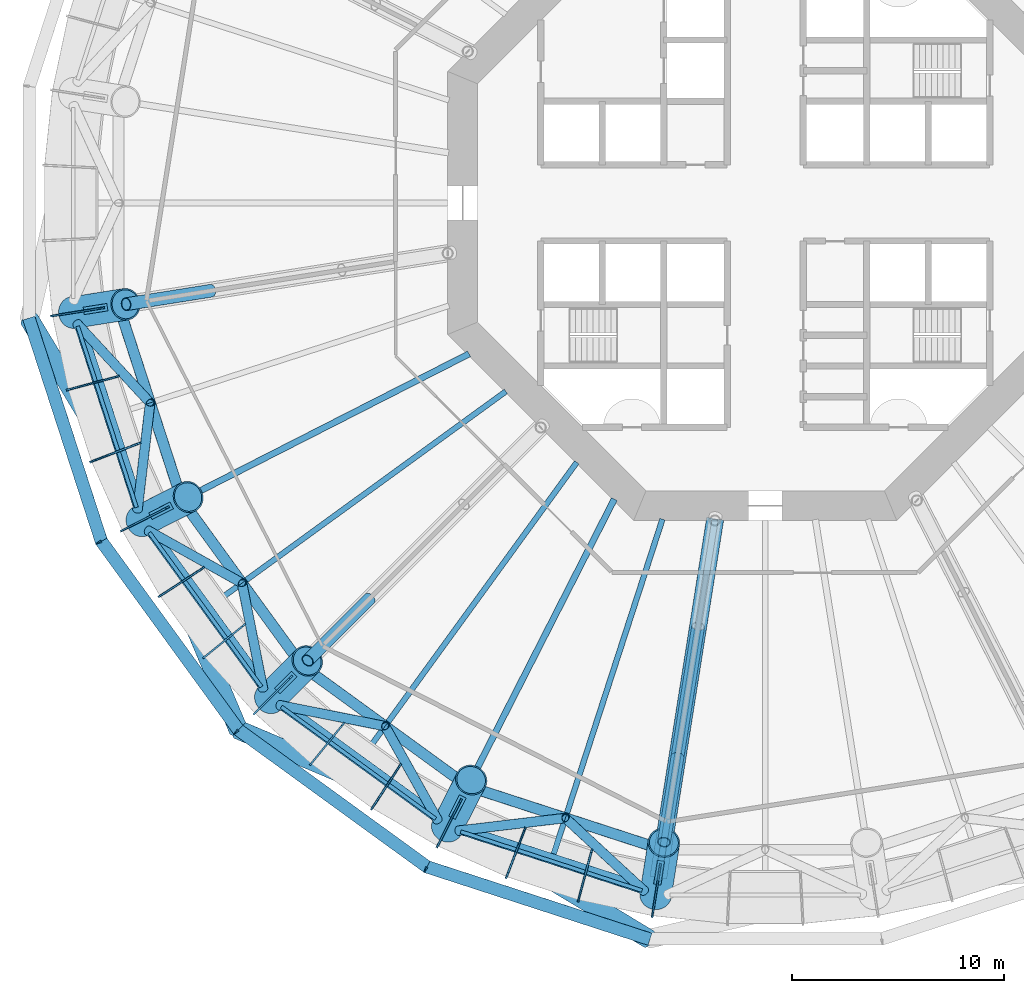
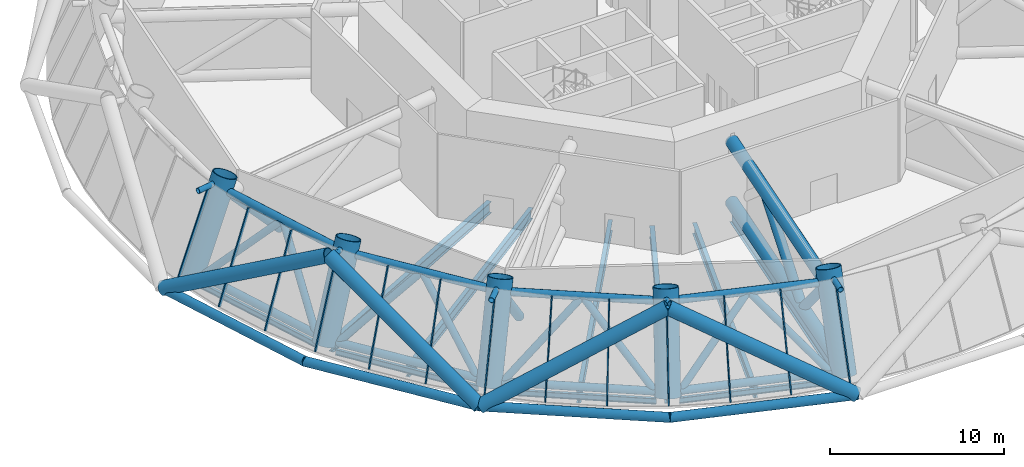
# One storey, part 1 of 14: 53 members, 10 beams, 5 elements without a shape of their own.
"""IFC4 building model written with IfcOpenShell, lengths in metres."""

from ifc_helpers import new_model, si_unit, direction, frame, origin, origin_2d, place, context, subcontext, project, spatial, rectangle, circle, hollow_circle, i_section, extrude, material, layer, layer_set, material_profile, profile_set, type_object, element, aggregate, save


model = new_model("IFC4")

# Units and contexts
model_context = context("Model", 3, precision=1e-05, world=origin(), true_north=direction((0.0, 1.0)))
body_context = subcontext(model_context, "Body", "Model", "MODEL_VIEW")
ifc_project = project(units=[si_unit("LENGTHUNIT", "METRE"), si_unit("AREAUNIT", "SQUARE_METRE"), si_unit("VOLUMEUNIT", "CUBIC_METRE"), si_unit("PLANEANGLEUNIT", "RADIAN"), si_unit("MASSUNIT", "GRAM", prefix="KILO")], contexts=[model_context])

# Site, building, storey
site_placement = place(None, origin())
site = spatial("IfcSite", under=ifc_project, at=site_placement, CompositionType="ELEMENT")
building_placement = place(site_placement, origin())
building = spatial("IfcBuilding", under=site, at=building_placement, Name="Entoto Ring Tower", CompositionType="ELEMENT")
storey_placement = place(building_placement, frame((0.0, 0.0, 74.0)))
storey = spatial("IfcBuildingStorey", under=building, at=storey_placement, Name="L16", CompositionType="ELEMENT", Elevation=74.0)

# Members
ifc_material_1 = material(Name="Steel S355", Category="steel")
ifc_material_profile_1 = material_profile(ifc_material_1, hollow_circle(Radius=0.449951171875, WallThickness=0.044921875, at=origin_2d()), Name="CHS 900 x 45")
ifc_material_2 = material(Name="Concrete C60/75", Category="concrete")
ifc_material_profile_2 = material_profile(ifc_material_2, circle(Radius=0.405029296875, at=origin_2d()), Name="Concrete C60/75 infill")
ifc_profile_set_1 = profile_set([ifc_material_profile_1, ifc_material_profile_2], Name="Steel S355")
member_type_1 = type_object("IfcMemberType", Name="Diagrid diagonal 900 x 45 concrete-filled tube", PredefinedType="BRACE", material=ifc_profile_set_1)
member_1_placement = place(storey_placement, frame((55.2333984375, 74.493408203125, 0.0), z_axis=(0.452381185358, -0.750313710373, 0.482058709247), x_axis=(0.856386694306, 0.516334997667, 0.0)))
element("IfcMember", 1, at=member_1_placement, inside=storey, type_object=member_type_1, Name="DG2 module 5 12", PredefinedType="BRACE", context=body_context, shape_type="SweptSolid", body=[
    extrude(hollow_circle(Radius=0.449951171875, WallThickness=0.044921875, at=origin_2d()), origin(), (0.0, 0.0, 1.0), 12.446533203125),
])
for number, where, z_axis, x_axis, name in (
    (2, (65.10986328125, 55.10986328125, 0.0), (-0.34111981915, 0.807008954016, 0.482051674742), (-0.92109296129, -0.389342723909, 0.0), "DG2 module 5 13"),
    (3, (65.10986328125, 55.10986328125, 0.0), (0.807008954016, -0.34111981915, 0.482051674742), (0.389342723909, 0.92109296129, 0.0), "DG2 module 5 14"),
):
    element("IfcMember", number, at=place(storey_placement, frame(where, z_axis=z_axis, x_axis=x_axis)), inside=storey, type_object=member_type_1, Name=name, PredefinedType="BRACE", context=body_context, shape_type="SweptSolid", body=[
        extrude(hollow_circle(Radius=0.449951171875, WallThickness=0.044921875, at=origin_2d()), origin(), (0.0, 0.0, 1.0), 12.44677734375),
    ])
member_2_placement = place(storey_placement, frame((84.493408203125, 45.2333984375, 0.0), z_axis=(-0.750313710373, 0.452381185358, 0.482058709247), x_axis=(-0.516334997667, -0.856386694306, 0.0)))
element("IfcMember", 4, at=member_2_placement, inside=storey, type_object=member_type_1, Name="DG2 module 5 15", PredefinedType="BRACE", context=body_context, shape_type="SweptSolid", body=[
    extrude(hollow_circle(Radius=0.449951171875, WallThickness=0.044921875, at=origin_2d()), origin(), (0.0, 0.0, 1.0), 12.446533203125),
])
ifc_material_3 = material(Name="Steel S355", Category="steel")
ifc_material_profile_3 = material_profile(ifc_material_3, hollow_circle(Radius=0.177734375, WallThickness=0.01611328125, at=origin_2d()), Name="CHS 355.6 x 16")
ifc_material_4 = material(Name="Concrete C60/75", Category="concrete")
ifc_material_profile_4 = material_profile(ifc_material_4, circle(Radius=0.161865234375, at=origin_2d()), Name="Concrete C60/75 infill")
ifc_profile_set_2 = profile_set([ifc_material_profile_3, ifc_material_profile_4], Name="Steel S355")
member_type_2 = type_object("IfcMemberType", Name="Diagrid node strut 355.6 x 16", PredefinedType="STRUT", material=ifc_profile_set_2)
for number, where, z_axis, x_axis, name in (
    (5, (58.9208984375, 75.07763671875, 5.672119140625), (-0.98766673662, -0.156570806263, 0.0), (0.156570806263, -0.98766673662, 0.0), "DS1 strut ring 5 10"),
    (6, (61.963134765625, 65.71435546875, 5.672119140625), (-0.891085517707, -0.453835432876, 0.0), (0.453835432876, -0.891085517707, 0.0), "DS1 strut ring 5 11"),
    (7, (67.749755859375, 57.749755859375, 5.672119140625), (-0.707106781187, -0.707106781187, 0.0), (0.707106781187, -0.707106781187, 0.0), "DS1 strut ring 5 12"),
    (8, (75.71435546875, 51.963134765625, 5.672119140625), (-0.453835432876, -0.891085517707, 0.0), (0.891085517707, -0.453835432876, 0.0), "DS1 strut ring 5 13"),
    (9, (85.07763671875, 48.9208984375, 5.672119140625), (-0.156570806263, -0.98766673662, 0.0), (0.98766673662, -0.156570806263, 0.0), "DS1 strut ring 5 14"),
):
    element("IfcMember", number, at=place(storey_placement, frame(where, z_axis=z_axis, x_axis=x_axis)), inside=storey, type_object=member_type_2, Name=name, PredefinedType="STRUT", context=body_context, shape_type="SweptSolid", body=[
        extrude(hollow_circle(Radius=0.177734375, WallThickness=0.01611328125, at=origin_2d()), origin(), (0.0, 0.0, 1.0), 1.133544921875),
    ])
ifc_material_5 = material(Name="Steel S355", Category="steel")
ifc_material_profile_5 = material_profile(ifc_material_5, hollow_circle(Radius=0.300048828125, WallThickness=0.030029296875, at=origin_2d()), Name="CHS 600 x 30")
ifc_material_6 = material(Name="Concrete C60/75", Category="concrete")
ifc_material_profile_6 = material_profile(ifc_material_6, circle(Radius=0.27001953125, at=origin_2d()), Name="Concrete C60/75 infill")
ifc_profile_set_3 = profile_set([ifc_material_profile_5, ifc_material_profile_6], Name="Steel S355")
member_type_3 = type_object("IfcMemberType", Name="Diagrid ring beam 600 x 30", PredefinedType="CHORD", material=ifc_profile_set_3)
for number, where, z_axis, x_axis, name in (
    (10, (55.21240234375, 74.5576171875, 0.0), (0.309031105137, -0.951051931315, 0.0), (0.951051931315, 0.309031105137, 0.0), "DR1 ring 4 11"),
    (11, (58.596923828125, 64.07421875, 0.0), (0.587771863556, -0.809026721692, 0.0), (0.809026721692, 0.587771863556, 0.0), "DR1 ring 4 12"),
    (12, (65.05517578125, 55.1494140625, 0.0), (0.809026721692, -0.587771863556, 0.0), (0.587771863556, 0.809026721692, 0.0), "DR1 ring 4 13"),
    (13, (73.955322265625, 48.657470703125, 0.0), (0.951051931315, -0.309031105137, 0.0), (0.309031105137, 0.951051931315, 0.0), "DR1 ring 4 14"),
):
    element("IfcMember", number, at=place(storey_placement, frame(where, z_axis=z_axis, x_axis=x_axis)), inside=storey, type_object=member_type_3, Name=name, PredefinedType="CHORD", context=body_context, shape_type="SweptSolid", body=[
        extrude(hollow_circle(Radius=0.300048828125, WallThickness=0.030029296875, at=origin_2d()), origin(), (0.0, 0.0, 1.0), 11.14794921875),
    ])

# Beams
ifc_material_7 = material(Name="Steel S355", Category="steel")
ifc_material_profile_7 = material_profile(ifc_material_7, i_section(OverallWidth=0.179931640625, OverallDepth=0.39990234375, WebThickness=0.008544921875, FlangeThickness=0.013427734375, FilletRadius=0.02099609375, at=origin_2d()), Name="IPE 400")
ifc_profile_set_4 = profile_set([ifc_material_profile_7], Name="Steel S355")
beam_type_1 = type_object("IfcBeamType", Name="Edge beam IPE 400", PredefinedType="SPANDREL", material=ifc_profile_set_4)
for number, where, z_axis, x_axis, name in (
    (14, (57.515869140625, 74.180908203125, -0.35009765625), (0.309006400295, -0.951059958455, 0.0), (0.951059958455, 0.309006400295, 0.0), "Edge beam L16 11"),
    (15, (60.90380859375, 64.427490234375, -0.35009765625), (0.587792917156, -0.80901142547, 0.0), (0.80901142547, 0.587792917156, 0.0), "Edge beam L16 12"),
    (16, (67.14013671875, 56.198486328125, -0.35009765625), (0.80901142547, -0.587792917156, 0.0), (0.587792917156, 0.80901142547, 0.0), "Edge beam L16 13"),
    (17, (75.614013671875, 50.29931640625, -0.35009765625), (0.951059958455, -0.309006400295, 0.0), (0.309006400295, 0.951059958455, 0.0), "Edge beam L16 14"),
):
    element("IfcBeam", number, at=place(storey_placement, frame(where, z_axis=z_axis, x_axis=x_axis)), inside=storey, type_object=beam_type_1, Name=name, PredefinedType="SPANDREL", context=body_context, shape_type="SweptSolid", body=[
        extrude(i_section(OverallWidth=0.179931640625, OverallDepth=0.39990234375, WebThickness=0.008544921875, FlangeThickness=0.013427734375, FilletRadius=0.02099609375, at=origin_2d()), origin(), (0.0, 0.0, 1.0), 9.0078125),
    ])

# Curtain wall, members
ifc_material_8 = material(Name="Anodised aluminium", Category="aluminium")
ifc_layer = layer(ifc_material_8, 0.10009765625)
ifc_layer_set = layer_set([ifc_layer], Name="Anodised aluminium")
curtain_wall_type = type_object("IfcCurtainWallType", Name="Louvre curtain wall system CW7", PredefinedType="NOTDEFINED", material=ifc_layer_set)
curtain_wall_1_placement = place(storey_placement, origin())
curtain_wall_1 = element("IfcCurtainWall", 18, at=curtain_wall_1_placement, inside=storey, type_object=curtain_wall_type, Name="CW7 L16-11", PredefinedType="NOTDEFINED")
ifc_material_9 = material(Name="Anodised aluminium", Category="aluminium")
ifc_material_profile_8 = material_profile(ifc_material_9, rectangle(XDim=0.080078125, YDim=0.199951171875, at=origin_2d()), Name="Mullion 80 x 200 mm anodised aluminium")
ifc_profile_set_5 = profile_set([ifc_material_profile_8], Name="Anodised aluminium")
member_type_4 = type_object("IfcMemberType", Name="Mullion 80 x 200 mm anodised aluminium", PredefinedType="MULLION", material=ifc_profile_set_5)
member_3_placement = place(storey_placement, frame((56.327392578125, 74.666748046875, 0.03857421875), z_axis=(0.379907115901, 0.060155863708, 0.923066549794), x_axis=(-0.15639512268, 0.98769457101, 0.0)))
member_3 = element("IfcMember", 19, at=member_3_placement, type_object=member_type_4, Name="MULLION L16-30", PredefinedType="MULLION", context=body_context, shape_type="SweptSolid", body=[
    extrude(rectangle(XDim=0.080078125, YDim=0.199951171875, at=origin_2d()), origin(), (0.0, 0.0, 1.0), 6.254150390625),
])
member_4_placement = place(storey_placement, frame((57.0693359375, 71.17626953125, 0.03857421875), z_axis=(0.371517215719, 0.099544909119, 0.923074086676), x_axis=(-0.258812183003, 0.965927664957, 0.0)))
member_4 = element("IfcMember", 20, at=member_4_placement, type_object=member_type_4, Name="MULLION L16-31", PredefinedType="MULLION", context=body_context, shape_type="SweptSolid", body=[
    extrude(rectangle(XDim=0.080078125, YDim=0.199951171875, at=origin_2d()), origin(), (0.0, 0.0, 1.0), 6.254150390625),
])
member_5_placement = place(storey_placement, frame((58.172119140625, 67.782470703125, 0.03857421875), z_axis=(0.359065607861, 0.137840906866, 0.92307733893), x_axis=(-0.358387287841, 0.933573002991, 0.0)))
member_5 = element("IfcMember", 21, at=member_5_placement, type_object=member_type_4, Name="MULLION L16-32", PredefinedType="MULLION", context=body_context, shape_type="SweptSolid", body=[
    extrude(rectangle(XDim=0.080078125, YDim=0.199951171875, at=origin_2d()), origin(), (0.0, 0.0, 1.0), 6.25390625),
])
aggregate(curtain_wall_1, [member_3, member_4, member_5])

curtain_wall_2_placement = place(storey_placement, origin())
curtain_wall_2 = element("IfcCurtainWall", 22, at=curtain_wall_2_placement, inside=storey, type_object=curtain_wall_type, Name="CW7 L16-12", PredefinedType="NOTDEFINED")
member_6_placement = place(storey_placement, frame((59.62353515625, 64.5224609375, 0.03857421875), z_axis=(0.342707021712, 0.174613111757, 0.923072130698), x_axis=(-0.453980514773, 0.891011611713, 0.0)))
member_6 = element("IfcMember", 23, at=member_6_placement, type_object=member_type_4, Name="MULLION L16-33", PredefinedType="MULLION", context=body_context, shape_type="SweptSolid", body=[
    extrude(rectangle(XDim=0.080078125, YDim=0.199951171875, at=origin_2d()), origin(), (0.0, 0.0, 1.0), 6.254150390625),
])
member_7_placement = place(storey_placement, frame((61.40771484375, 61.431884765625, 0.03857421875), z_axis=(0.322563051143, 0.20951178694, 0.923069818145), x_axis=(-0.544706497232, 0.838626753611, 0.0)))
member_7 = element("IfcMember", 24, at=member_7_placement, type_object=member_type_4, Name="MULLION L16-34", PredefinedType="MULLION", context=body_context, shape_type="SweptSolid", body=[
    extrude(rectangle(XDim=0.080078125, YDim=0.199951171875, at=origin_2d()), origin(), (0.0, 0.0, 1.0), 6.254150390625),
])
member_8_placement = place(storey_placement, frame((63.50537109375, 58.544921875, 0.03857421875), z_axis=(0.298906561936, 0.24206864184, 0.923069683106), x_axis=(-0.629350037127, 0.777121953601, 0.0)))
member_8 = element("IfcMember", 25, at=member_8_placement, type_object=member_type_4, Name="MULLION L16-35", PredefinedType="MULLION", context=body_context, shape_type="SweptSolid", body=[
    extrude(rectangle(XDim=0.080078125, YDim=0.199951171875, at=origin_2d()), origin(), (0.0, 0.0, 1.0), 6.254150390625),
])
aggregate(curtain_wall_2, [member_6, member_7, member_8])

curtain_wall_3_placement = place(storey_placement, origin())
curtain_wall_3 = element("IfcCurtainWall", 26, at=curtain_wall_3_placement, inside=storey, type_object=curtain_wall_type, Name="CW7 L16-13", PredefinedType="NOTDEFINED")
member_9_placement = place(storey_placement, frame((65.89306640625, 55.89306640625, 0.03857421875), z_axis=(0.271971811529, 0.271971811529, 0.923072406405), x_axis=(-0.707106781187, 0.707106781187, 0.0)))
member_9 = element("IfcMember", 27, at=member_9_placement, type_object=member_type_4, Name="MULLION L16-36", PredefinedType="MULLION", context=body_context, shape_type="SweptSolid", body=[
    extrude(rectangle(XDim=0.080078125, YDim=0.199951171875, at=origin_2d()), origin(), (0.0, 0.0, 1.0), 6.254150390625),
])
member_10_placement = place(storey_placement, frame((68.544921875, 53.50537109375, 0.03857421875), z_axis=(0.24206864184, 0.298906561936, 0.923069683106), x_axis=(-0.777121953601, 0.629350037127, 0.0)))
member_10 = element("IfcMember", 28, at=member_10_placement, type_object=member_type_4, Name="MULLION L16-37", PredefinedType="MULLION", context=body_context, shape_type="SweptSolid", body=[
    extrude(rectangle(XDim=0.080078125, YDim=0.199951171875, at=origin_2d()), origin(), (0.0, 0.0, 1.0), 6.254150390625),
])
member_11_placement = place(storey_placement, frame((71.431884765625, 51.40771484375, 0.03857421875), z_axis=(0.20951178694, 0.322563051143, 0.923069818145), x_axis=(-0.838626753611, 0.544706497232, 0.0)))
member_11 = element("IfcMember", 29, at=member_11_placement, type_object=member_type_4, Name="MULLION L16-38", PredefinedType="MULLION", context=body_context, shape_type="SweptSolid", body=[
    extrude(rectangle(XDim=0.080078125, YDim=0.199951171875, at=origin_2d()), origin(), (0.0, 0.0, 1.0), 6.254150390625),
])
aggregate(curtain_wall_3, [member_9, member_10, member_11])

curtain_wall_4_placement = place(storey_placement, origin())
curtain_wall_4 = element("IfcCurtainWall", 30, at=curtain_wall_4_placement, inside=storey, type_object=curtain_wall_type, Name="CW7 L16-14", PredefinedType="NOTDEFINED")
member_12_placement = place(storey_placement, frame((74.5224609375, 49.62353515625, 0.03857421875), z_axis=(0.174613111757, 0.342707021712, 0.923072130698), x_axis=(-0.891011611713, 0.453980514773, 0.0)))
member_12 = element("IfcMember", 31, at=member_12_placement, type_object=member_type_4, Name="MULLION L16-39", PredefinedType="MULLION", context=body_context, shape_type="SweptSolid", body=[
    extrude(rectangle(XDim=0.080078125, YDim=0.199951171875, at=origin_2d()), origin(), (0.0, 0.0, 1.0), 6.254150390625),
])
member_13_placement = place(storey_placement, frame((77.782470703125, 48.172119140625, 0.03857421875), z_axis=(0.137840906866, 0.359065607861, 0.92307733893), x_axis=(-0.933573002991, 0.358387287841, 0.0)))
member_13 = element("IfcMember", 32, at=member_13_placement, type_object=member_type_4, Name="MULLION L16-40", PredefinedType="MULLION", context=body_context, shape_type="SweptSolid", body=[
    extrude(rectangle(XDim=0.080078125, YDim=0.199951171875, at=origin_2d()), origin(), (0.0, 0.0, 1.0), 6.25390625),
])
member_14_placement = place(storey_placement, frame((81.17626953125, 47.0693359375, 0.03857421875), z_axis=(0.099544909119, 0.371517215719, 0.923074086676), x_axis=(-0.965927664957, 0.258812183003, 0.0)))
member_14 = element("IfcMember", 33, at=member_14_placement, type_object=member_type_4, Name="MULLION L16-41", PredefinedType="MULLION", context=body_context, shape_type="SweptSolid", body=[
    extrude(rectangle(XDim=0.080078125, YDim=0.199951171875, at=origin_2d()), origin(), (0.0, 0.0, 1.0), 6.254150390625),
])
aggregate(curtain_wall_4, [member_12, member_13, member_14])

# Curtain wall, member
curtain_wall_5_placement = place(storey_placement, origin())
curtain_wall_5 = element("IfcCurtainWall", 34, at=curtain_wall_5_placement, inside=storey, type_object=curtain_wall_type, Name="CW7 L16-15", PredefinedType="NOTDEFINED")
member_15_placement = place(storey_placement, frame((84.666748046875, 46.327392578125, 0.03857421875), z_axis=(0.060155863708, 0.379907115901, 0.923066549794), x_axis=(-0.98769457101, 0.15639512268, 0.0)))
member_15 = element("IfcMember", 35, at=member_15_placement, type_object=member_type_4, Name="MULLION L16-42", PredefinedType="MULLION", context=body_context, shape_type="SweptSolid", body=[
    extrude(rectangle(XDim=0.080078125, YDim=0.199951171875, at=origin_2d()), origin(), (0.0, 0.0, 1.0), 6.254150390625),
])
aggregate(curtain_wall_5, [member_15])

# Members
ifc_material_10 = material(Name="Steel S355", Category="steel")
ifc_material_profile_9 = material_profile(ifc_material_10, hollow_circle(Radius=0.406494140625, WallThickness=0.044921875, at=origin_2d()), Name="CHS 813 x 45")
ifc_material_11 = material(Name="Concrete C60/75", Category="concrete")
ifc_material_profile_10 = material_profile(ifc_material_11, circle(Radius=0.361572265625, at=origin_2d()), Name="Concrete C60/75 infill")
ifc_profile_set_6 = profile_set([ifc_material_profile_9, ifc_material_profile_10], Name="Steel S355")
member_type_5 = type_object("IfcMemberType", Name="Outrigger chord 813 x 45", PredefinedType="CHORD", material=ifc_profile_set_6)
member_16_placement = place(storey_placement, frame((87.637451171875, 65.083251953125, 0.406494140625), z_axis=(-0.156438756703, -0.987687660853, 0.0), x_axis=(0.987687660853, -0.156438756703, 0.0)))
element("IfcMember", 36, at=member_16_placement, inside=storey, type_object=member_type_5, Name="OR1A L16 bottom 08", PredefinedType="CHORD", context=body_context, shape_type="SweptSolid", body=[
    extrude(hollow_circle(Radius=0.406494140625, WallThickness=0.044921875, at=origin_2d()), origin(), (0.0, 0.0, 1.0), 17.165283203125),
])
member_17_placement = place(storey_placement, frame((87.637451171875, 65.083251953125, 4.6904296875), z_axis=(-0.156434516979, -0.987688332369, 0.0), x_axis=(0.987688332369, -0.156434516979, 0.0)))
element("IfcMember", 37, at=member_17_placement, inside=storey, type_object=member_type_5, Name="OR1A L16 top 08", PredefinedType="CHORD", context=body_context, shape_type="SweptSolid", body=[
    extrude(hollow_circle(Radius=0.406494140625, WallThickness=0.044921875, at=origin_2d()), origin(), (0.0, 0.0, 1.0), 15.38037109375),
])
ifc_material_12 = material(Name="Steel S355", Category="steel")
ifc_material_profile_11 = material_profile(ifc_material_12, hollow_circle(Radius=0.304931640625, WallThickness=0.035888671875, at=origin_2d()), Name="CHS 610 x 36")
ifc_material_13 = material(Name="Concrete C60/75", Category="concrete")
ifc_material_profile_12 = material_profile(ifc_material_13, circle(Radius=0.26904296875, at=origin_2d()), Name="Concrete C60/75 infill")
ifc_profile_set_7 = profile_set([ifc_material_profile_11, ifc_material_profile_12], Name="Steel S355")
member_type_6 = type_object("IfcMemberType", Name="Outrigger diagonal 610 x 36", PredefinedType="BRACE", material=ifc_profile_set_7)
member_18_placement = place(storey_placement, frame((63.810302734375, 75.85205078125, 0.406494140625), z_axis=(-0.662980056613, -0.105036143269, 0.741231983349), x_axis=(0.156478671543, -0.987681337959, 0.0)))
element("IfcMember", 38, at=member_18_placement, inside=storey, type_object=member_type_6, Name="OR2A L16 06 3", PredefinedType="BRACE", context=body_context, shape_type="SweptSolid", body=[
    extrude(hollow_circle(Radius=0.304931640625, WallThickness=0.035888671875, at=origin_2d()), origin(), (0.0, 0.0, 1.0), 6.043212890625),
])
member_19_placement = place(storey_placement, frame((71.29443359375, 61.29443359375, 0.406494140625), z_axis=(-0.478793343144, -0.478793343144, 0.735876259382), x_axis=(0.707106781187, -0.707106781187, 0.0)))
element("IfcMember", 39, at=member_19_placement, inside=storey, type_object=member_type_6, Name="OR2A L16 07 3", PredefinedType="BRACE", context=body_context, shape_type="SweptSolid", body=[
    extrude(hollow_circle(Radius=0.304931640625, WallThickness=0.035888671875, at=origin_2d()), origin(), (0.0, 0.0, 1.0), 6.08056640625),
])
member_20_placement = place(storey_placement, frame((86.831298828125, 59.992919921875, 4.6904296875), z_axis=(-0.129099241185, -0.815085809965, -0.564772970599), x_axis=(0.987687904098, -0.15643722095, 0.0)))
element("IfcMember", 40, at=member_20_placement, inside=storey, type_object=member_type_6, Name="OR2A L16 08 2", PredefinedType="BRACE", context=body_context, shape_type="SweptSolid", body=[
    extrude(hollow_circle(Radius=0.304931640625, WallThickness=0.035888671875, at=origin_2d()), origin(), (0.0, 0.0, 1.0), 7.585205078125),
])
member_21_placement = place(storey_placement, frame((85.85205078125, 53.810302734375, 0.406494140625), z_axis=(-0.105036143269, -0.662980056613, 0.741231983349), x_axis=(0.987681337959, -0.156478671543, 0.0)))
element("IfcMember", 41, at=member_21_placement, inside=storey, type_object=member_type_6, Name="OR2A L16 08 3", PredefinedType="BRACE", context=body_context, shape_type="SweptSolid", body=[
    extrude(hollow_circle(Radius=0.304931640625, WallThickness=0.035888671875, at=origin_2d()), origin(), (0.0, 0.0, 1.0), 6.043212890625),
])

# Beams
ifc_material_14 = material(Name="Steel S355", Category="steel")
ifc_material_profile_13 = material_profile(ifc_material_14, i_section(OverallWidth=0.300048828125, OverallDepth=0.800048828125, WebThickness=0.017578125, FlangeThickness=0.032958984375, FilletRadius=0.030029296875, at=origin_2d()), Name="HE 800 B")
ifc_profile_set_8 = profile_set([ifc_material_profile_13], Name="Steel S355")
beam_type_2 = type_object("IfcBeamType", Name="Primary floor beam HE 800 B", PredefinedType="BEAM", material=ifc_profile_set_8)
for number, where, z_axis, x_axis, name in (
    (42, (76.00830078125, 72.870849609375, -0.550048828125), (-0.891007761657, -0.453988071063, 0.0), (0.453988071063, -0.891007761657, 0.0), "Primary L16 R12"),
    (43, (82.870849609375, 66.00830078125, -0.550048828125), (-0.453988071063, -0.891007761657, 0.0), (0.891007761657, -0.453988071063, 0.0), "Primary L16 R14"),
):
    element("IfcBeam", number, at=place(storey_placement, frame(where, z_axis=z_axis, x_axis=x_axis)), inside=storey, type_object=beam_type_2, Name=name, PredefinedType="BEAM", context=body_context, shape_type="SweptSolid", body=[
        extrude(i_section(OverallWidth=0.300048828125, OverallDepth=0.800048828125, WebThickness=0.017578125, FlangeThickness=0.032958984375, FilletRadius=0.030029296875, at=origin_2d()), origin(), (0.0, 0.0, 1.0), 16.733154296875),
    ])
beam_1_placement = place(storey_placement, frame((87.631103515625, 65.043212890625, -0.550048828125), z_axis=(-0.156438130794, -0.98768775999, 0.0), x_axis=(0.98768775999, -0.156438130794, 0.0)))
element("IfcBeam", 44, at=beam_1_placement, inside=storey, type_object=beam_type_2, Name="Primary L16 R15", PredefinedType="BEAM", context=body_context, shape_type="SweptSolid", body=[
    extrude(i_section(OverallWidth=0.300048828125, OverallDepth=0.800048828125, WebThickness=0.017578125, FlangeThickness=0.032958984375, FilletRadius=0.030029296875, at=origin_2d()), origin(), (0.0, 0.0, 1.0), 17.293212890625),
])

# Members
ifc_material_15 = material(Name="Steel S355", Category="steel")
ifc_material_profile_14 = material_profile(ifc_material_15, hollow_circle(Radius=0.75, WallThickness=0.06494140625, at=origin_2d()), Name="CHS 1500 x 65")
ifc_material_16 = material(Name="Concrete C60/75", Category="concrete")
ifc_material_profile_15 = material_profile(ifc_material_16, circle(Radius=0.68505859375, at=origin_2d()), Name="Concrete C60/75 infill")
ifc_profile_set_9 = profile_set([ifc_material_profile_14, ifc_material_profile_15], Name="Steel S355")
member_type_7 = type_object("IfcMemberType", Name="Ring column jog 1500 x 65 concrete-filled tube", PredefinedType="STRUT", material=ifc_profile_set_9)
for number, where, z_axis, x_axis, name in (
    (45, (57.3076171875, 74.822021484375, 0.0), (0.37988233017, 0.06017119764, 0.923075751062), (-0.156443969736, 0.987686835152, 0.0), "RJ1B R11"),
    (46, (60.507568359375, 64.972900390625, 0.0), (0.342697597672, 0.174616520339, 0.923074984698), (-0.453997461601, 0.891002976909, 0.0), "RJ1B R12"),
    (47, (66.5947265625, 56.5947265625, 0.0), (0.271971397377, 0.271971397377, 0.923072650455), (-0.707106781187, 0.707106781187, 0.0), "RJ1B R13"),
    (48, (74.972900390625, 50.507568359375, 0.0), (0.174616520339, 0.342697597672, 0.923074984698), (-0.891002976909, 0.453997461601, 0.0), "RJ1B R14"),
    (49, (84.822021484375, 47.3076171875, 0.0), (0.06017119764, 0.37988233017, 0.923075751062), (-0.987686835152, 0.156443969736, 0.0), "RJ1B R15"),
):
    element("IfcMember", number, at=place(storey_placement, frame(where, z_axis=z_axis, x_axis=x_axis)), inside=storey, type_object=member_type_7, Name=name, PredefinedType="STRUT", context=body_context, shape_type="SweptSolid", body=[
        extrude(hollow_circle(Radius=0.75, WallThickness=0.06494140625, at=origin_2d()), origin(), (0.0, 0.0, 1.0), 6.5),
    ])
ifc_material_17 = material(Name="Steel S355", Category="steel")
ifc_material_profile_16 = material_profile(ifc_material_17, hollow_circle(Radius=0.25390625, WallThickness=0.030029296875, at=origin_2d()), Name="CHS 508 x 30")
ifc_material_18 = material(Name="Concrete C60/75", Category="concrete")
ifc_material_profile_17 = material_profile(ifc_material_18, circle(Radius=0.22412109375, at=origin_2d()), Name="Concrete C60/75 infill")
ifc_profile_set_10 = profile_set([ifc_material_profile_16, ifc_material_profile_17], Name="Steel S355")
member_type_8 = type_object("IfcMemberType", Name="Ring truss chord 508 x 30", PredefinedType="CHORD", material=ifc_profile_set_10)
member_22_placement = place(storey_placement, frame((57.62451171875, 74.1845703125, 0.25390625), z_axis=(0.309015118354, -0.951057125849, 0.0), x_axis=(0.951057125849, 0.309015118354, 0.0)))
element("IfcMember", 50, at=member_22_placement, inside=storey, type_object=member_type_8, Name="BT1 L16 bottom 11", PredefinedType="CHORD", context=body_context, shape_type="SweptSolid", body=[
    extrude(hollow_circle(Radius=0.25390625, WallThickness=0.030029296875, at=origin_2d()), origin(), (0.0, 0.0, 1.0), 8.947509765625),
])
member_23_placement = place(storey_placement, frame((59.658447265625, 74.506591796875, 5.196044921875), z_axis=(0.309002963044, -0.951061075236, 0.0), x_axis=(0.951061075236, 0.309002963044, 0.0)))
element("IfcMember", 51, at=member_23_placement, inside=storey, type_object=member_type_8, Name="BT1 L16 top 11", PredefinedType="CHORD", context=body_context, shape_type="SweptSolid", body=[
    extrude(hollow_circle(Radius=0.25390625, WallThickness=0.030029296875, at=origin_2d()), origin(), (0.0, 0.0, 1.0), 8.302978515625),
])
member_24_placement = place(storey_placement, frame((61.006103515625, 64.464599609375, 0.25390625), z_axis=(0.58778550311, -0.809016812145, 0.0), x_axis=(0.809016812145, 0.58778550311, 0.0)))
element("IfcMember", 52, at=member_24_placement, inside=storey, type_object=member_type_8, Name="BT1 L16 bottom 12", PredefinedType="CHORD", context=body_context, shape_type="SweptSolid", body=[
    extrude(hollow_circle(Radius=0.25390625, WallThickness=0.030029296875, at=origin_2d()), origin(), (0.0, 0.0, 1.0), 8.947509765625),
])
member_25_placement = place(storey_placement, frame((62.8408203125, 65.3994140625, 5.196044921875), z_axis=(0.587788761329, -0.809014444899, 0.0), x_axis=(0.809014444899, 0.587788761329, 0.0)))
element("IfcMember", 53, at=member_25_placement, inside=storey, type_object=member_type_8, Name="BT1 L16 top 12", PredefinedType="CHORD", context=body_context, shape_type="SweptSolid", body=[
    extrude(hollow_circle(Radius=0.25390625, WallThickness=0.030029296875, at=origin_2d()), origin(), (0.0, 0.0, 1.0), 8.303466796875),
])
member_26_placement = place(storey_placement, frame((67.225830078125, 56.265380859375, 0.25390625), z_axis=(0.809016812145, -0.58778550311, 0.0), x_axis=(0.58778550311, 0.809016812145, 0.0)))
element("IfcMember", 54, at=member_26_placement, inside=storey, type_object=member_type_8, Name="BT1 L16 bottom 13", PredefinedType="CHORD", context=body_context, shape_type="SweptSolid", body=[
    extrude(hollow_circle(Radius=0.25390625, WallThickness=0.030029296875, at=origin_2d()), origin(), (0.0, 0.0, 1.0), 8.947509765625),
])
member_27_placement = place(storey_placement, frame((68.681884765625, 57.721435546875, 5.196044921875), z_axis=(0.809014444899, -0.587788761329, 0.0), x_axis=(0.587788761329, 0.809014444899, 0.0)))
element("IfcMember", 55, at=member_27_placement, inside=storey, type_object=member_type_8, Name="BT1 L16 top 13", PredefinedType="CHORD", context=body_context, shape_type="SweptSolid", body=[
    extrude(hollow_circle(Radius=0.25390625, WallThickness=0.030029296875, at=origin_2d()), origin(), (0.0, 0.0, 1.0), 8.303466796875),
])
member_28_placement = place(storey_placement, frame((75.675048828125, 50.389404296875, 0.25390625), z_axis=(0.951057125849, -0.309015118354, 0.0), x_axis=(0.309015118354, 0.951057125849, 0.0)))
element("IfcMember", 56, at=member_28_placement, inside=storey, type_object=member_type_8, Name="BT1 L16 bottom 14", PredefinedType="CHORD", context=body_context, shape_type="SweptSolid", body=[
    extrude(hollow_circle(Radius=0.25390625, WallThickness=0.030029296875, at=origin_2d()), origin(), (0.0, 0.0, 1.0), 8.947509765625),
])
member_29_placement = place(storey_placement, frame((76.60986328125, 52.22412109375, 5.196044921875), z_axis=(0.951061075236, -0.309002963044, 0.0), x_axis=(0.309002963044, 0.951061075236, 0.0)))
element("IfcMember", 57, at=member_29_placement, inside=storey, type_object=member_type_8, Name="BT1 L16 top 14", PredefinedType="CHORD", context=body_context, shape_type="SweptSolid", body=[
    extrude(hollow_circle(Radius=0.25390625, WallThickness=0.030029296875, at=origin_2d()), origin(), (0.0, 0.0, 1.0), 8.302978515625),
])
ifc_material_19 = material(Name="Steel S355", Category="steel")
ifc_material_profile_18 = material_profile(ifc_material_19, hollow_circle(Radius=0.228515625, WallThickness=0.02001953125, at=origin_2d()), Name="CHS 457 x 20")
ifc_material_20 = material(Name="Concrete C60/75", Category="concrete")
ifc_material_profile_19 = material_profile(ifc_material_20, circle(Radius=0.20849609375, at=origin_2d()), Name="Concrete C60/75 infill")
ifc_profile_set_11 = profile_set([ifc_material_profile_18, ifc_material_profile_19], Name="Steel S355")
member_type_9 = type_object("IfcMemberType", Name="Ring truss diagonal 457 x 20", PredefinedType="BRACE", material=ifc_profile_set_11)
for number, where, z_axis, x_axis, name in (
    (58, (57.48779296875, 74.2939453125, 0.020263671875), (0.475870319778, -0.514724428313, 0.713166321171), (0.734277032935, 0.678849938429, 0.0), "BT2 L16 11 a"),
    (59, (60.94140625, 70.558349609375, 5.196044921875), (-0.082417142906, -0.69613892053, -0.713160583514), (0.993064514799, -0.117570699781, 0.0), "BT2 L16 11 b"),
    (60, (60.84228515625, 64.526611328125, 0.020263671875), (0.611631235609, -0.342516183091, 0.713154889171), (0.488606291418, 0.872504379351, 0.0), "BT2 L16 12 a"),
    (61, (65.28125, 62.040771484375, 5.196044921875), (0.13674580209, -0.687530308268, -0.713163838696), (0.980788686524, 0.19507319751, 0.0), "BT2 L16 12 b"),
    (62, (67.051025390625, 56.273681640625, 0.020263671875), (0.687530308268, -0.13674580209, 0.713163838696), (0.19507319751, 0.980788686524, 0.0), "BT2 L16 13 a"),
    (63, (72.040771484375, 55.28125, 5.196044921875), (0.342516183091, -0.611631235609, -0.713154889171), (0.872504379351, 0.488606291418, 0.0), "BT2 L16 13 b"),
    (64, (75.506103515625, 50.34326171875, 0.020263671875), (0.69613892053, 0.082417142906, 0.713160583514), (-0.117570699781, 0.993064514799, 0.0), "BT2 L16 14 a"),
    (65, (80.558349609375, 50.94140625, 5.196044921875), (0.514724428313, -0.475870319778, -0.713166321171), (0.678849938429, 0.734277032935, 0.0), "BT2 L16 14 b"),
):
    element("IfcMember", number, at=place(storey_placement, frame(where, z_axis=z_axis, x_axis=x_axis)), inside=storey, type_object=member_type_9, Name=name, PredefinedType="BRACE", context=body_context, shape_type="SweptSolid", body=[
        extrude(hollow_circle(Radius=0.228515625, WallThickness=0.02001953125, at=origin_2d()), origin(), (0.0, 0.0, 1.0), 7.257568359375),
    ])

# Beams
ifc_material_21 = material(Name="Steel S355", Category="steel")
ifc_material_profile_20 = material_profile(ifc_material_21, i_section(OverallWidth=0.262939453125, OverallDepth=0.7529296875, WebThickness=0.011474609375, FlangeThickness=0.01708984375, FilletRadius=0.01708984375, at=origin_2d()), Name="IPE 750 x 137")
ifc_profile_set_12 = profile_set([ifc_material_profile_20], Name="Steel S355")
beam_type_3 = type_object("IfcBeamType", Name="Secondary floor beam IPE 750 x 137", PredefinedType="JOIST", material=ifc_profile_set_12)
for number, where, z_axis, x_axis, name in (
    (66, (77.74658203125, 71.097412109375, -0.526611328125), (-0.809014194973, -0.58778910532, 0.0), (0.58778910532, -0.809014194973, 0.0), "Secondary beam L16 12"),
    (67, (81.097412109375, 67.74658203125, -0.526611328125), (-0.58778910532, -0.809014194973, 0.0), (0.809014194973, -0.58778910532, 0.0), "Secondary beam L16 13"),
):
    element("IfcBeam", number, at=place(storey_placement, frame(where, z_axis=z_axis, x_axis=x_axis)), inside=storey, type_object=beam_type_3, Name=name, PredefinedType="JOIST", context=body_context, shape_type="SweptSolid", body=[
        extrude(i_section(OverallWidth=0.262939453125, OverallDepth=0.7529296875, WebThickness=0.011474609375, FlangeThickness=0.01708984375, FilletRadius=0.01708984375, at=origin_2d()), origin(), (0.0, 0.0, 1.0), 17.45654296875),
    ])
beam_2_placement = place(storey_placement, frame((85.1455078125, 65.0595703125, -0.526611328125), z_axis=(-0.30901287187, -0.951057855768, 0.0), x_axis=(0.951057855768, -0.30901287187, 0.0)))
element("IfcBeam", 68, at=beam_2_placement, inside=storey, type_object=beam_type_3, Name="Secondary beam L16 14", PredefinedType="JOIST", context=body_context, shape_type="SweptSolid", body=[
    extrude(i_section(OverallWidth=0.262939453125, OverallDepth=0.7529296875, WebThickness=0.011474609375, FlangeThickness=0.01708984375, FilletRadius=0.01708984375, at=origin_2d()), origin(), (0.0, 0.0, 1.0), 16.893310546875),
])

save(model, "model.ifc")
